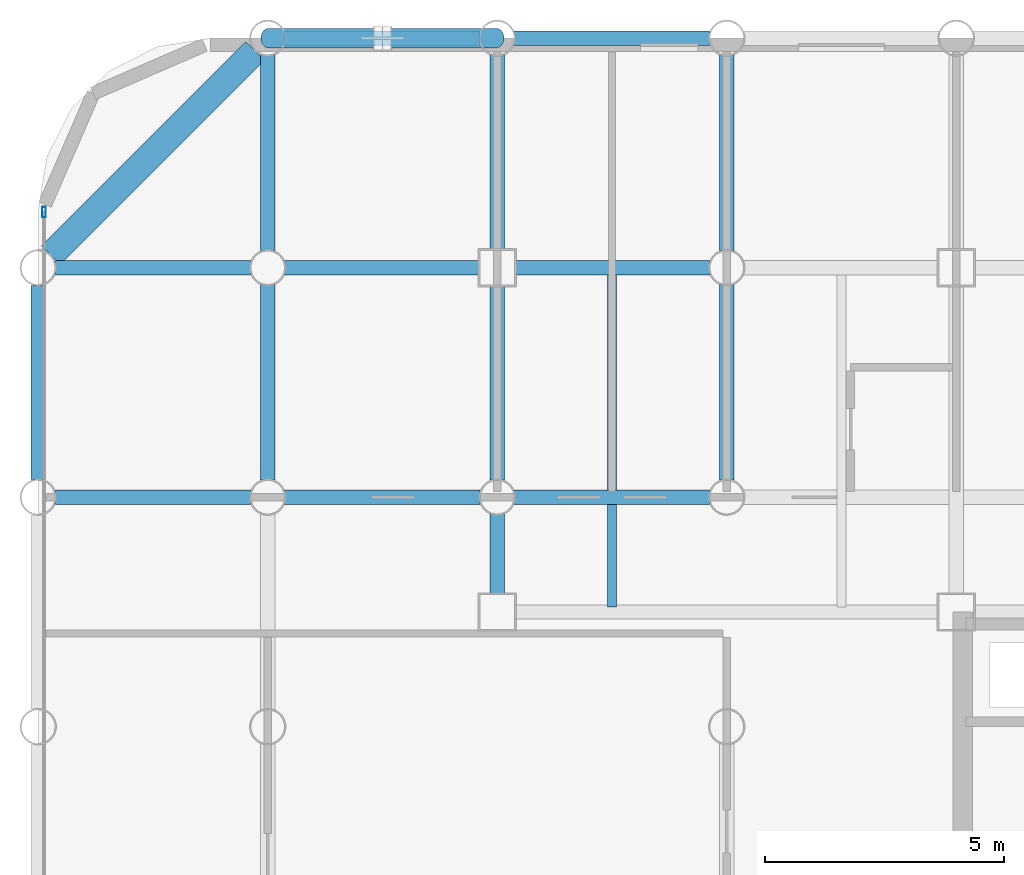
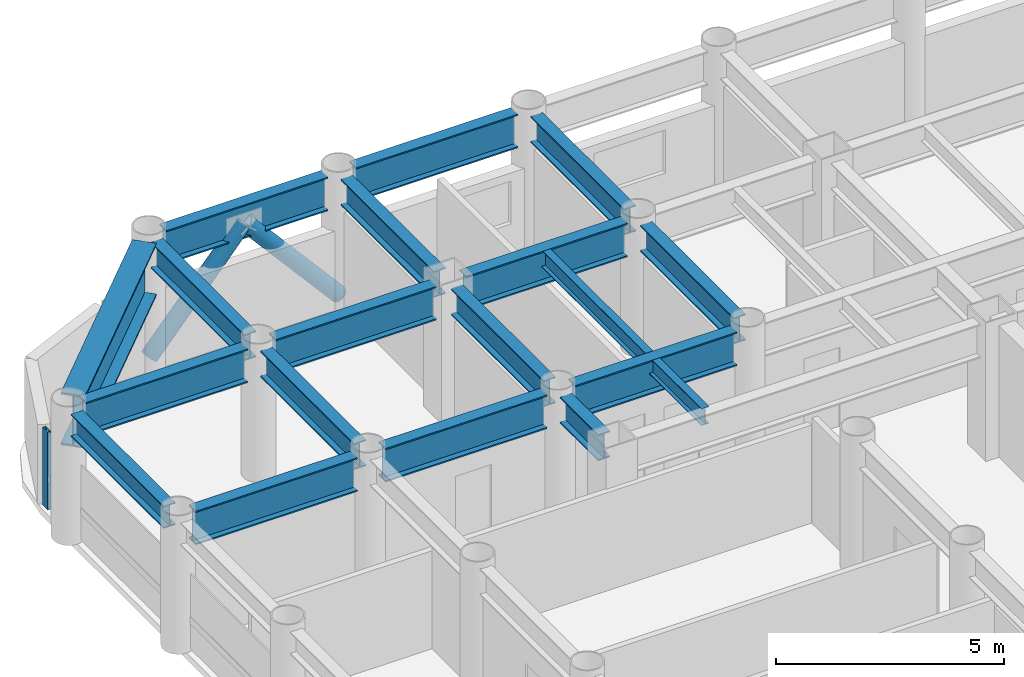
# One storey, part 9 of 21: 18 beams, 3 members, 1 element without a shape of its own.
"""IFC4 building model written with IfcOpenShell, lengths in metres."""

from ifc_helpers import new_model, si_unit, direction, frame, origin, origin_2d, place, context, subcontext, project, spatial, hollow_rectangle, hollow_circle, i_section, extrude, material, layer, layer_set, material_profile, profile_set, type_object, element, aggregate, save


model = new_model("IFC4")

# Units and contexts
model_context = context("Model", 3, precision=1e-05, world=origin(), true_north=direction((0.0, 1.0)))
body_context = subcontext(model_context, "Body", "Model", "MODEL_VIEW")
ifc_project = project(units=[si_unit("LENGTHUNIT", "METRE"), si_unit("AREAUNIT", "SQUARE_METRE"), si_unit("VOLUMEUNIT", "CUBIC_METRE"), si_unit("PLANEANGLEUNIT", "RADIAN"), si_unit("MASSUNIT", "GRAM", prefix="KILO")], contexts=[model_context])

# Site, building, storey
site_placement = place(None, origin())
site = spatial("IfcSite", under=ifc_project, at=site_placement, CompositionType="ELEMENT")
building_placement = place(site_placement, origin())
building = spatial("IfcBuilding", under=site, at=building_placement, Name="Kallvorn Hotel Tower", CompositionType="ELEMENT")
storey_placement = place(building_placement, frame((0.0, 0.0, 44.800048828125)))
storey = spatial("IfcBuildingStorey", under=building, at=storey_placement, Name="L09", CompositionType="ELEMENT", Elevation=44.800048828125)

# Beams
ifc_material_1 = material(Name="Structural steel S355JR", Category="steel")
ifc_material_profile_1 = material_profile(ifc_material_1, i_section(OverallWidth=0.300048828125, OverallDepth=0.60009765625, WebThickness=0.015380859375, FlangeThickness=0.030029296875, at=origin_2d()), Name="HE 600 B")
ifc_profile_set_1 = profile_set([ifc_material_profile_1], Name="Structural steel S355JR")
beam_type_1 = type_object("IfcBeamType", Name="BM_HE600B", PredefinedType="SPANDREL", material=ifc_profile_set_1)
beam_1_placement = place(storey_placement, frame((-33.60009765625, 9.970947265625, 3.219970703125), z_axis=(0.0, 1.0, 0.0), x_axis=(-1.0, 0.0, 0.0)))
element("IfcBeam", 1, at=beam_1_placement, inside=storey, type_object=beam_type_1, Name="L10 Perimeter Spandrel 180", PredefinedType="SPANDREL", context=body_context, shape_type="SweptSolid", body=[
    extrude(i_section(OverallWidth=0.300048828125, OverallDepth=0.60009765625, WebThickness=0.015380859375, FlangeThickness=0.030029296875, at=origin_2d()), origin(), (0.0, 0.0, 1.0), 4.05810546875),
])
ifc_material_2 = material(Name="Structural steel S355JR", Category="steel")
ifc_material_profile_2 = material_profile(ifc_material_2, i_section(OverallWidth=0.300048828125, OverallDepth=0.699951171875, WebThickness=0.01708984375, FlangeThickness=0.031982421875, at=origin_2d()), Name="HE 700 B")
ifc_profile_set_2 = profile_set([ifc_material_profile_2], Name="Structural steel S355JR")
beam_type_2 = type_object("IfcBeamType", Name="BM_HE700B", PredefinedType="BEAM", material=ifc_profile_set_2)
for number, where, z_axis, x_axis, name in (
    (2, (-28.800048828125, 9.9560546875, 3.169921875), (0.0, 1.0, 0.0), (-1.0, 0.0, 0.0), "L10 Primary Y-Girder 80"),
    (3, (-28.800048828125, 14.756103515625, 3.169921875), (0.0, 1.0, 0.0), (-1.0, 0.0, 0.0), "L10 Primary Y-Girder 81"),
):
    element("IfcBeam", number, at=place(storey_placement, frame(where, z_axis=z_axis, x_axis=x_axis)), inside=storey, type_object=beam_type_2, Name=name, PredefinedType="BEAM", context=body_context, shape_type="SweptSolid", body=[
        extrude(i_section(OverallWidth=0.300048828125, OverallDepth=0.699951171875, WebThickness=0.01708984375, FlangeThickness=0.031982421875, at=origin_2d()), origin(), (0.0, 0.0, 1.0), 4.087890625),
    ])
beam_2_placement = place(storey_placement, frame((-24.0, 7.574951171875, 3.169921875), z_axis=(0.0, 1.0, 0.0), x_axis=(-1.0, 0.0, 0.0)))
element("IfcBeam", 4, at=beam_2_placement, inside=storey, type_object=beam_type_2, Name="L10 Primary Y-Girder 86", PredefinedType="BEAM", context=body_context, shape_type="SweptSolid", body=[
    extrude(i_section(OverallWidth=0.300048828125, OverallDepth=0.699951171875, WebThickness=0.01708984375, FlangeThickness=0.031982421875, at=origin_2d()), origin(), (0.0, 0.0, 1.0), 1.6689453125),
])
beam_3_placement = place(storey_placement, frame((-24.0, 9.9560546875, 3.169921875), z_axis=(0.0, 1.0, 0.0), x_axis=(-1.0, 0.0, 0.0)))
element("IfcBeam", 5, at=beam_3_placement, inside=storey, type_object=beam_type_2, Name="L10 Primary Y-Girder 87", PredefinedType="BEAM", context=body_context, shape_type="SweptSolid", body=[
    extrude(i_section(OverallWidth=0.300048828125, OverallDepth=0.699951171875, WebThickness=0.01708984375, FlangeThickness=0.031982421875, at=origin_2d()), origin(), (0.0, 0.0, 1.0), 4.06884765625),
])
beam_4_placement = place(storey_placement, frame((-24.0, 14.77490234375, 3.169921875), z_axis=(0.0, 1.0, 0.0), x_axis=(-1.0, 0.0, 0.0)))
element("IfcBeam", 6, at=beam_4_placement, inside=storey, type_object=beam_type_2, Name="L10 Primary Y-Girder 88", PredefinedType="BEAM", context=body_context, shape_type="SweptSolid", body=[
    extrude(i_section(OverallWidth=0.300048828125, OverallDepth=0.699951171875, WebThickness=0.01708984375, FlangeThickness=0.031982421875, at=origin_2d()), origin(), (0.0, 0.0, 1.0), 4.069091796875),
])
for number, where, z_axis, x_axis, name in (
    (7, (-19.199951171875, 9.9560546875, 3.169921875), (0.0, 1.0, 0.0), (-1.0, 0.0, 0.0), "L10 Primary Y-Girder 96"),
    (8, (-19.199951171875, 14.756103515625, 3.169921875), (0.0, 1.0, 0.0), (-1.0, 0.0, 0.0), "L10 Primary Y-Girder 97"),
):
    element("IfcBeam", number, at=place(storey_placement, frame(where, z_axis=z_axis, x_axis=x_axis)), inside=storey, type_object=beam_type_2, Name=name, PredefinedType="BEAM", context=body_context, shape_type="SweptSolid", body=[
        extrude(i_section(OverallWidth=0.300048828125, OverallDepth=0.699951171875, WebThickness=0.01708984375, FlangeThickness=0.031982421875, at=origin_2d()), origin(), (0.0, 0.0, 1.0), 4.087890625),
    ])
ifc_material_3 = material(Name="Structural steel S355JR", Category="steel")
ifc_material_profile_3 = material_profile(ifc_material_3, i_section(OverallWidth=0.300048828125, OverallDepth=0.89990234375, WebThickness=0.0185546875, FlangeThickness=0.034912109375, at=origin_2d()), Name="HE 900 B")
ifc_profile_set_3 = profile_set([ifc_material_profile_3], Name="Structural steel S355JR")
beam_type_3 = type_object("IfcBeamType", Name="BM_HE900B", PredefinedType="BEAM", material=ifc_profile_set_3)
beam_5_placement = place(storey_placement, frame((-33.243896484375, 9.60009765625, 3.070068359375), z_axis=(1.0, 0.0, 0.0), x_axis=(0.0, 1.0, 0.0)))
element("IfcBeam", 9, at=beam_5_placement, inside=storey, type_object=beam_type_3, Name="L10 Primary X-Girder 42", PredefinedType="BEAM", context=body_context, shape_type="SweptSolid", body=[
    extrude(i_section(OverallWidth=0.300048828125, OverallDepth=0.89990234375, WebThickness=0.0185546875, FlangeThickness=0.034912109375, at=origin_2d()), origin(), (0.0, 0.0, 1.0), 4.087890625),
])
for number, where, z_axis, x_axis, name in (
    (10, (-28.444091796875, 9.60009765625, 3.070068359375), (1.0, 0.0, 0.0), (0.0, 1.0, 0.0), "L10 Primary X-Girder 43"),
    (11, (-23.64404296875, 9.60009765625, 3.070068359375), (1.0, 0.0, 0.0), (0.0, 1.0, 0.0), "L10 Primary X-Girder 44"),
):
    element("IfcBeam", number, at=place(storey_placement, frame(where, z_axis=z_axis, x_axis=x_axis)), inside=storey, type_object=beam_type_3, Name=name, PredefinedType="BEAM", context=body_context, shape_type="SweptSolid", body=[
        extrude(i_section(OverallWidth=0.300048828125, OverallDepth=0.89990234375, WebThickness=0.0185546875, FlangeThickness=0.034912109375, at=origin_2d()), origin(), (0.0, 0.0, 1.0), 4.088134765625),
    ])
beam_6_placement = place(storey_placement, frame((-33.243896484375, 14.39990234375, 3.070068359375), z_axis=(1.0, 0.0, 0.0), x_axis=(0.0, 1.0, 0.0)))
element("IfcBeam", 12, at=beam_6_placement, inside=storey, type_object=beam_type_3, Name="L10 Primary X-Girder 51", PredefinedType="BEAM", context=body_context, shape_type="SweptSolid", body=[
    extrude(i_section(OverallWidth=0.300048828125, OverallDepth=0.89990234375, WebThickness=0.0185546875, FlangeThickness=0.034912109375, at=origin_2d()), origin(), (0.0, 0.0, 1.0), 4.087890625),
])
for number, where, z_axis, x_axis, name in (
    (13, (-28.444091796875, 14.39990234375, 3.070068359375), (1.0, 0.0, 0.0), (0.0, 1.0, 0.0), "L10 Primary X-Girder 52"),
    (14, (-23.625, 14.39990234375, 3.070068359375), (1.0, 0.0, 0.0), (0.0, 1.0, 0.0), "L10 Primary X-Girder 53"),
):
    element("IfcBeam", number, at=place(storey_placement, frame(where, z_axis=z_axis, x_axis=x_axis)), inside=storey, type_object=beam_type_3, Name=name, PredefinedType="BEAM", context=body_context, shape_type="SweptSolid", body=[
        extrude(i_section(OverallWidth=0.300048828125, OverallDepth=0.89990234375, WebThickness=0.0185546875, FlangeThickness=0.034912109375, at=origin_2d()), origin(), (0.0, 0.0, 1.0), 4.069091796875),
    ])
for number, where, z_axis, x_axis, name in (
    (15, (-28.444091796875, 19.199951171875, 3.070068359375), (1.0, 0.0, 0.0), (0.0, 1.0, 0.0), "L10 Primary X-Girder 61"),
    (16, (-23.64404296875, 19.199951171875, 3.070068359375), (1.0, 0.0, 0.0), (0.0, 1.0, 0.0), "L10 Primary X-Girder 62"),
):
    element("IfcBeam", number, at=place(storey_placement, frame(where, z_axis=z_axis, x_axis=x_axis)), inside=storey, type_object=beam_type_3, Name=name, PredefinedType="BEAM", context=body_context, shape_type="SweptSolid", body=[
        extrude(i_section(OverallWidth=0.300048828125, OverallDepth=0.89990234375, WebThickness=0.0185546875, FlangeThickness=0.034912109375, at=origin_2d()), origin(), (0.0, 0.0, 1.0), 4.088134765625),
    ])
ifc_material_4 = material(Name="Structural steel S355JR", Category="steel")
ifc_material_profile_4 = material_profile(ifc_material_4, i_section(OverallWidth=0.18994140625, OverallDepth=0.449951171875, WebThickness=0.009521484375, FlangeThickness=0.0146484375, at=origin_2d()), Name="IPE 450")
ifc_profile_set_4 = profile_set([ifc_material_profile_4], Name="Structural steel S355JR")
beam_type_4 = type_object("IfcBeamType", Name="BM_IPE450", PredefinedType="JOIST", material=ifc_profile_set_4)
beam_7_placement = place(storey_placement, frame((-21.60009765625, 7.300048828125, 3.294921875), z_axis=(0.0, 1.0, 0.0), x_axis=(-1.0, 0.0, 0.0)))
element("IfcBeam", 17, at=beam_7_placement, inside=storey, type_object=beam_type_4, Name="L10 Secondary Composite Joist 193", PredefinedType="JOIST", context=body_context, shape_type="SweptSolid", body=[
    extrude(i_section(OverallWidth=0.18994140625, OverallDepth=0.449951171875, WebThickness=0.009521484375, FlangeThickness=0.0146484375, at=origin_2d()), origin(), (0.0, 0.0, 1.0), 7.0),
])
ifc_material_5 = material(Name="Structural steel S355JR", Category="steel")
ifc_material_profile_5 = material_profile(ifc_material_5, i_section(OverallWidth=0.550048828125, OverallDepth=1.39990234375, WebThickness=0.02490234375, FlangeThickness=0.044921875, at=origin_2d()), Name="PG 1400x550x25x45")
ifc_profile_set_5 = profile_set([ifc_material_profile_5], Name="Structural steel S355JR")
beam_type_5 = type_object("IfcBeamType", Name="BM_PG_1400", PredefinedType="BEAM", material=ifc_profile_set_5)
beam_8_placement = place(storey_placement, frame((-33.337646484375, 14.662353515625, 2.820068359375), z_axis=(0.707106781187, 0.707106781187, 0.0), x_axis=(-0.707106781187, 0.707106781187, 0.0)))
element("IfcBeam", 18, at=beam_8_placement, inside=storey, type_object=beam_type_5, Name="L10 Rounded Corner Tie Beam 190", PredefinedType="BEAM", context=body_context, shape_type="SweptSolid", body=[
    extrude(i_section(OverallWidth=0.550048828125, OverallDepth=1.39990234375, WebThickness=0.02490234375, FlangeThickness=0.044921875, at=origin_2d()), origin(), (0.0, 0.0, 1.0), 6.04638671875),
])

# Curtain wall, member
ifc_material_6 = material(Name="Thermally broken black-anodised aluminium AA 6063-T6", Category="aluminium")
ifc_layer = layer(ifc_material_6, 0.199951171875)
ifc_layer_set = layer_set([ifc_layer], Name="CW_SYS_3_HOTEL_LOW")
curtain_wall_type = type_object("IfcCurtainWallType", Name="CW_SYS_3_HOTEL_LOW", PredefinedType="USERDEFINED", material=ifc_layer_set)
curtain_wall_placement = place(storey_placement, origin())
curtain_wall = element("IfcCurtainWall", 19, at=curtain_wall_placement, inside=storey, type_object=curtain_wall_type, Name="L09 Dark-Glass Curtain Wall CW-L09-WN", ObjectType="UNITISED CURTAIN WALL", PredefinedType="USERDEFINED")
ifc_material_7 = material(Name="Thermally broken black-anodised aluminium AA 6063-T6", Category="aluminium")
ifc_material_profile_6 = material_profile(ifc_material_7, hollow_rectangle(XDim=0.080078125, YDim=0.219970703125, WallThickness=0.0048828125, at=origin_2d()), Name="MUL 220x80")
ifc_profile_set_6 = profile_set([ifc_material_profile_6], Name="Thermally broken black-anodised aluminium AA 6063-T6")
member_type_1 = type_object("IfcMemberType", Name="CW_MULLION_220x80", PredefinedType="MULLION", material=ifc_profile_set_6)
member_placement = place(storey_placement, frame((-33.47998046875, 15.56005859375, 0.02001953125), z_axis=(0.0, 0.0, 1.0), x_axis=(1.0, 0.0, 0.0)))
member = element("IfcMember", 20, at=member_placement, type_object=member_type_1, Name="CW-L09-WN Mullion 01", PredefinedType="MULLION", context=body_context, shape_type="SweptSolid", body=[
    extrude(hollow_rectangle(XDim=0.080078125, YDim=0.219970703125, WallThickness=0.0048828125, at=origin_2d()), origin(), (0.0, 0.0, 1.0), 2.079833984375),
])
aggregate(curtain_wall, [member])

# Members
ifc_material_8 = material(Name="Structural steel S355J2H", Category="steel")
ifc_material_profile_7 = material_profile(ifc_material_8, hollow_circle(Radius=0.203125, WallThickness=0.01611328125, at=origin_2d()), Name="CHS 406.4x16")
ifc_profile_set_7 = profile_set([ifc_material_profile_7], Name="Structural steel S355J2H")
member_type_2 = type_object("IfcMemberType", Name="MBR_EXO_CHS406", PredefinedType="BRACE", material=ifc_profile_set_7)
for number, where, z_axis, x_axis, name in (
    (21, (-28.786865234375, 19.199951171875, 0.195068359375), (0.65346062529, 0.0, 0.756960508346), (0.0, 1.0, 0.0), "L09 Exoskeleton K-Brace N1A"),
    (22, (-24.01318359375, 19.199951171875, 0.195068359375), (-0.65346062529, 0.0, 0.756960508346), (0.0, -1.0, 0.0), "L09 Exoskeleton K-Brace N1B"),
):
    element("IfcMember", number, at=place(storey_placement, frame(where, z_axis=z_axis, x_axis=x_axis)), inside=storey, type_object=member_type_2, Name=name, PredefinedType="BRACE", context=body_context, shape_type="SweptSolid", body=[
        extrude(hollow_circle(Radius=0.203125, WallThickness=0.01611328125, at=origin_2d()), origin(), (0.0, 0.0, 1.0), 3.632568359375),
    ])

save(model, "model.ifc")
